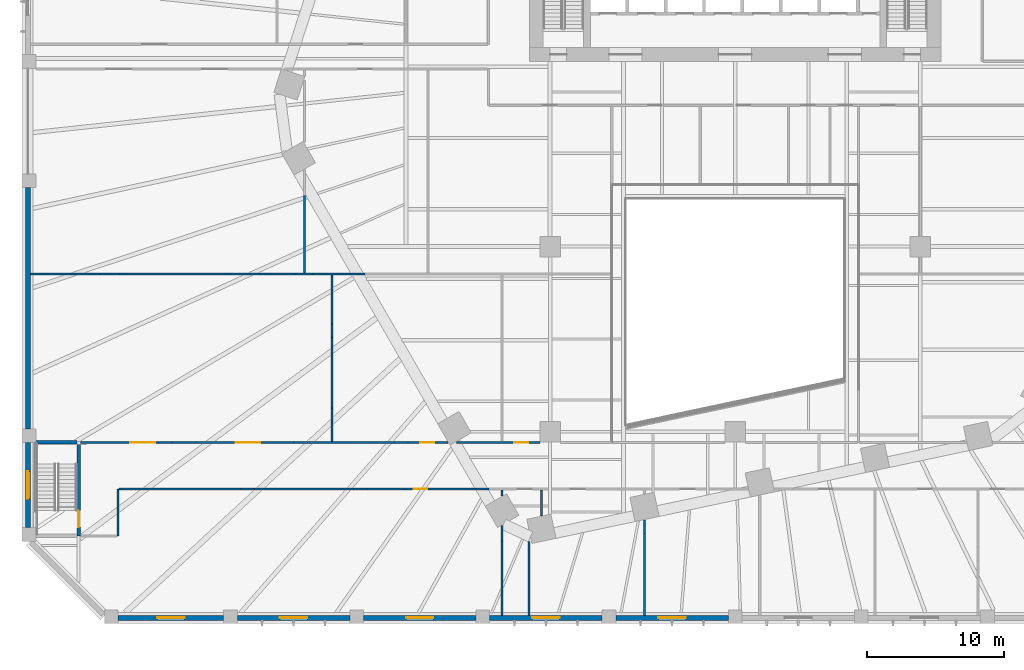
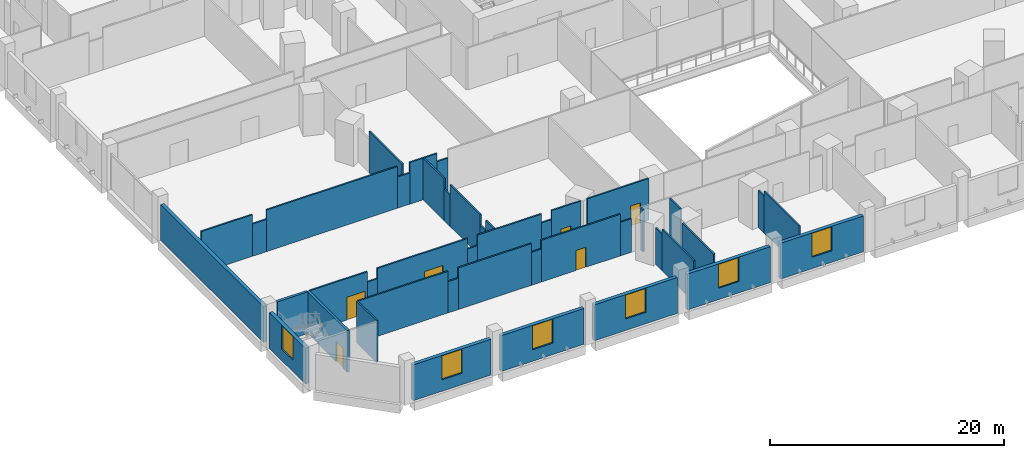
# One storey, part 14 of 33: 43 walls, 6 doors, 6 windows, 12 openings.
"""IFC4 building model written with IfcOpenShell, lengths in metres."""

from ifc_helpers import new_model, si_unit, direction, frame, frame_2d, origin, place, context, subcontext, project, spatial, rectangle, extrude, material, layer, layer_set, type_object, element, fill, save


model = new_model("IFC4")

# Units and contexts
model_context = context("Model", 3, precision=1e-05, world=origin(), true_north=direction((0.0, 1.0)))
body_context = subcontext(model_context, "Body", "Model", "MODEL_VIEW")
ifc_project = project(units=[si_unit("LENGTHUNIT", "METRE"), si_unit("AREAUNIT", "SQUARE_METRE"), si_unit("VOLUMEUNIT", "CUBIC_METRE"), si_unit("PLANEANGLEUNIT", "RADIAN"), si_unit("MASSUNIT", "GRAM", prefix="KILO")], contexts=[model_context])

# Site, building, storey
site_placement = place(None, origin())
site = spatial("IfcSite", under=ifc_project, at=site_placement, CompositionType="ELEMENT")
building_placement = place(site_placement, origin())
building = spatial("IfcBuilding", under=site, at=building_placement, Name="Isthmus Gate Tower", CompositionType="ELEMENT")
storey_placement = place(building_placement, frame((0.0, 0.0, 31.5)))
storey = spatial("IfcBuildingStorey", under=building, at=storey_placement, Name="L05", CompositionType="ELEMENT", Elevation=31.5)

# Wall
ifc_material_1 = material(Name="Fire-rated gypsum board on steel studs", Category="steel")
ifc_layer_1 = layer(ifc_material_1, 0.14990234375)
ifc_layer_set_1 = layer_set([ifc_layer_1], Name="Fire-rated partition 150 EI 60")
wall_type_1 = type_object("IfcWallType", Name="Fire-rated partition 150 EI 60", PredefinedType="PARTITIONING", material=ifc_layer_set_1)
wall_1_placement = place(storey_placement, frame((-45.0, -34.60009765625, 0.0), z_axis=(0.0, 0.0, 1.0), x_axis=(0.0, 1.0, 0.0)))
element("IfcWall", 1, at=wall_1_placement, inside=storey, type_object=wall_type_1, Name="Fire-rated partition", PredefinedType="PARTITIONING", context=body_context, shape_type="SweptSolid", body=[
    extrude(rectangle(XDim=3.421142578125, YDim=0.14990234375, at=frame_2d((1.71044921875, 0.0))), origin(), (0.0, 0.0, 1.0), 4.35009765625),
])

# Wall, opening, window
ifc_material_2 = material(Name="Precast concrete C40/50, limestone-faced", Category="masonry")
ifc_layer_2 = layer(ifc_material_2, 0.35009765625)
ifc_layer_set_2 = layer_set([ifc_layer_2], Name="PODIUM CLADDING WALL 350")
wall_type_2 = type_object("IfcWallType", Name="PODIUM CLADDING WALL 350", PredefinedType="SOLIDWALL", material=ifc_layer_set_2)
wall_2_placement = place(storey_placement, frame((-45.0, -40.574951171875, -0.300048828125), z_axis=(0.0, 0.0, 1.0), x_axis=(1.0, 0.0, 0.0)))
wall_2 = element("IfcWall", 2, at=wall_2_placement, inside=storey, type_object=wall_type_2, Name="PODIUM WALL", PredefinedType="SOLIDWALL", context=body_context, shape_type="SweptSolid", body=[
    extrude(rectangle(XDim=7.699951171875, YDim=0.35009765625, at=frame_2d((3.85009765625, 0.0))), origin(), (0.0, 0.0, 1.0), 3.75),
])
opening_1_placement = place(wall_2_placement, frame((2.85009765625, 0.0, 1.199951171875)))
opening_1 = element("IfcOpeningElement", 3, at=opening_1_placement, cuts=wall_2, Name="Opening W091", PredefinedType="OPENING", context=body_context, shape_type="SweptSolid", body=[
    extrude(rectangle(XDim=2.0, YDim=2.5, at=frame_2d((1.0, 1.25))), frame((0.0, 0.18505859375, 0.0), z_axis=(0.0, -1.0, 0.0), x_axis=(1.0, 0.0, 0.0)), (0.0, 0.0, 1.0), 0.3701171875),
])
ifc_material_3 = material(Name="Aluminium, pale champagne anodised, laminated glass", Category="aluminium")
window_type = type_object("IfcWindowType", Name="PODIUM SLOT WINDOW 2000 X 2500", PartitioningType="SINGLE_PANEL", PredefinedType="WINDOW", material=ifc_material_3)
window_1_placement = place(opening_1_placement, origin())
window_1 = element("IfcWindow", 4, at=window_1_placement, inside=storey, type_object=window_type, Name="SLOT WINDOW", OverallHeight=2.5, OverallWidth=2.0, PartitioningType="SINGLE_PANEL", PredefinedType="WINDOW", context=body_context, shape_type="SweptSolid", body=[
    extrude(rectangle(XDim=2.0, YDim=2.5, at=frame_2d((1.0, 1.25))), frame((0.0, 0.030029296875, 0.0), z_axis=(0.0, -1.0, 0.0), x_axis=(1.0, 0.0, 0.0)), (0.0, 0.0, 1.0), 0.06005859375),
])
fill(opening_1, window_1)

wall_3_placement = place(storey_placement, frame((-36.300048828125, -40.574951171875, -0.300048828125), z_axis=(0.0, 0.0, 1.0), x_axis=(1.0, 0.0, 0.0)))
wall_3 = element("IfcWall", 5, at=wall_3_placement, inside=storey, type_object=wall_type_2, Name="PODIUM WALL", PredefinedType="SOLIDWALL", context=body_context, shape_type="SweptSolid", body=[
    extrude(rectangle(XDim=8.199951171875, YDim=0.35009765625, at=frame_2d((4.10009765625, 0.0))), origin(), (0.0, 0.0, 1.0), 3.75),
])
opening_2_placement = place(wall_3_placement, frame((3.10009765625, 0.0, 1.199951171875)))
opening_2 = element("IfcOpeningElement", 6, at=opening_2_placement, cuts=wall_3, Name="Opening W092", PredefinedType="OPENING", context=body_context, shape_type="SweptSolid", body=[
    extrude(rectangle(XDim=2.0, YDim=2.5, at=frame_2d((1.0, 1.25))), frame((0.0, 0.18505859375, 0.0), z_axis=(0.0, -1.0, 0.0), x_axis=(1.0, 0.0, 0.0)), (0.0, 0.0, 1.0), 0.3701171875),
])
window_2_placement = place(opening_2_placement, origin())
window_2 = element("IfcWindow", 7, at=window_2_placement, inside=storey, type_object=window_type, Name="SLOT WINDOW", OverallHeight=2.5, OverallWidth=2.0, PartitioningType="SINGLE_PANEL", PredefinedType="WINDOW", context=body_context, shape_type="SweptSolid", body=[
    extrude(rectangle(XDim=2.0, YDim=2.5, at=frame_2d((1.0, 1.25))), frame((0.0, 0.030029296875, 0.0), z_axis=(0.0, -1.0, 0.0), x_axis=(1.0, 0.0, 0.0)), (0.0, 0.0, 1.0), 0.06005859375),
])
fill(opening_2, window_2)

wall_4_placement = place(storey_placement, frame((-27.10009765625, -40.574951171875, -0.300048828125), z_axis=(0.0, 0.0, 1.0), x_axis=(1.0, 0.0, 0.0)))
wall_4 = element("IfcWall", 8, at=wall_4_placement, inside=storey, type_object=wall_type_2, Name="PODIUM WALL", PredefinedType="SOLIDWALL", context=body_context, shape_type="SweptSolid", body=[
    extrude(rectangle(XDim=8.2001953125, YDim=0.35009765625, at=frame_2d((4.10009765625, 0.0))), origin(), (0.0, 0.0, 1.0), 3.75),
])
opening_3_placement = place(wall_4_placement, frame((3.10009765625, 0.0, 1.199951171875)))
opening_3 = element("IfcOpeningElement", 9, at=opening_3_placement, cuts=wall_4, Name="Opening W093", PredefinedType="OPENING", context=body_context, shape_type="SweptSolid", body=[
    extrude(rectangle(XDim=2.0, YDim=2.5, at=frame_2d((1.0, 1.25))), frame((0.0, 0.18505859375, 0.0), z_axis=(0.0, -1.0, 0.0), x_axis=(1.0, 0.0, 0.0)), (0.0, 0.0, 1.0), 0.3701171875),
])
window_3_placement = place(opening_3_placement, origin())
window_3 = element("IfcWindow", 10, at=window_3_placement, inside=storey, type_object=window_type, Name="SLOT WINDOW", OverallHeight=2.5, OverallWidth=2.0, PartitioningType="SINGLE_PANEL", PredefinedType="WINDOW", context=body_context, shape_type="SweptSolid", body=[
    extrude(rectangle(XDim=2.0, YDim=2.5, at=frame_2d((1.0, 1.25))), frame((0.0, 0.030029296875, 0.0), z_axis=(0.0, -1.0, 0.0), x_axis=(1.0, 0.0, 0.0)), (0.0, 0.0, 1.0), 0.06005859375),
])
fill(opening_3, window_3)

wall_5_placement = place(storey_placement, frame((-17.89990234375, -40.574951171875, -0.300048828125), z_axis=(0.0, 0.0, 1.0), x_axis=(1.0, 0.0, 0.0)))
wall_5 = element("IfcWall", 11, at=wall_5_placement, inside=storey, type_object=wall_type_2, Name="PODIUM WALL", PredefinedType="SOLIDWALL", context=body_context, shape_type="SweptSolid", body=[
    extrude(rectangle(XDim=8.199951171875, YDim=0.35009765625, at=frame_2d((4.10009765625, 0.0))), origin(), (0.0, 0.0, 1.0), 3.75),
])
opening_4_placement = place(wall_5_placement, frame((3.10009765625, 0.0, 1.199951171875)))
opening_4 = element("IfcOpeningElement", 12, at=opening_4_placement, cuts=wall_5, Name="Opening W094", PredefinedType="OPENING", context=body_context, shape_type="SweptSolid", body=[
    extrude(rectangle(XDim=2.0, YDim=2.5, at=frame_2d((1.0, 1.25))), frame((0.0, 0.18505859375, 0.0), z_axis=(0.0, -1.0, 0.0), x_axis=(1.0, 0.0, 0.0)), (0.0, 0.0, 1.0), 0.3701171875),
])
window_4_placement = place(opening_4_placement, origin())
window_4 = element("IfcWindow", 13, at=window_4_placement, inside=storey, type_object=window_type, Name="SLOT WINDOW", OverallHeight=2.5, OverallWidth=2.0, PartitioningType="SINGLE_PANEL", PredefinedType="WINDOW", context=body_context, shape_type="SweptSolid", body=[
    extrude(rectangle(XDim=2.0, YDim=2.5, at=frame_2d((1.0, 1.25))), frame((0.0, 0.030029296875, 0.0), z_axis=(0.0, -1.0, 0.0), x_axis=(1.0, 0.0, 0.0)), (0.0, 0.0, 1.0), 0.06005859375),
])
fill(opening_4, window_4)

wall_6_placement = place(storey_placement, frame((-8.699951171875, -40.574951171875, -0.300048828125), z_axis=(0.0, 0.0, 1.0), x_axis=(1.0, 0.0, 0.0)))
wall_6 = element("IfcWall", 14, at=wall_6_placement, inside=storey, type_object=wall_type_2, Name="PODIUM WALL", PredefinedType="SOLIDWALL", context=body_context, shape_type="SweptSolid", body=[
    extrude(rectangle(XDim=8.199951171875, YDim=0.35009765625, at=frame_2d((4.10009765625, 0.0))), origin(), (0.0, 0.0, 1.0), 3.75),
])
opening_5_placement = place(wall_6_placement, frame((3.10009765625, 0.0, 1.199951171875)))
opening_5 = element("IfcOpeningElement", 15, at=opening_5_placement, cuts=wall_6, Name="Opening W095", PredefinedType="OPENING", context=body_context, shape_type="SweptSolid", body=[
    extrude(rectangle(XDim=2.0, YDim=2.5, at=frame_2d((1.0, 1.25))), frame((0.0, 0.18505859375, 0.0), z_axis=(0.0, -1.0, 0.0), x_axis=(1.0, 0.0, 0.0)), (0.0, 0.0, 1.0), 0.3701171875),
])
window_5_placement = place(opening_5_placement, origin())
window_5 = element("IfcWindow", 16, at=window_5_placement, inside=storey, type_object=window_type, Name="SLOT WINDOW", OverallHeight=2.5, OverallWidth=2.0, PartitioningType="SINGLE_PANEL", PredefinedType="WINDOW", context=body_context, shape_type="SweptSolid", body=[
    extrude(rectangle(XDim=2.0, YDim=2.5, at=frame_2d((1.0, 1.25))), frame((0.0, 0.030029296875, 0.0), z_axis=(0.0, -1.0, 0.0), x_axis=(1.0, 0.0, 0.0)), (0.0, 0.0, 1.0), 0.06005859375),
])
fill(opening_5, window_5)

# Wall
wall_7_placement = place(storey_placement, frame((-51.574951171875, -9.199951171875, -0.300048828125), z_axis=(0.0, 0.0, 1.0), x_axis=(0.0, -1.0, 0.0)))
element("IfcWall", 17, at=wall_7_placement, inside=storey, type_object=wall_type_2, Name="PODIUM WALL", PredefinedType="SOLIDWALL", context=body_context, shape_type="SweptSolid", body=[
    extrude(rectangle(XDim=17.60009765625, YDim=0.35009765625, at=frame_2d((8.800048828125, 0.0))), origin(), (0.0, 0.0, 1.0), 3.75),
])

# Wall, opening, window
wall_8_placement = place(storey_placement, frame((-51.574951171875, -27.800048828125, -0.300048828125), z_axis=(0.0, 0.0, 1.0), x_axis=(0.0, -1.0, 0.0)))
wall_8 = element("IfcWall", 18, at=wall_8_placement, inside=storey, type_object=wall_type_2, Name="PODIUM WALL", PredefinedType="SOLIDWALL", context=body_context, shape_type="SweptSolid", body=[
    extrude(rectangle(XDim=6.199951171875, YDim=0.35009765625, at=frame_2d((3.10009765625, 0.0))), origin(), (0.0, 0.0, 1.0), 3.75),
])
opening_6_placement = place(wall_8_placement, frame((2.10009765625, 0.0, 1.199951171875)))
opening_6 = element("IfcOpeningElement", 19, at=opening_6_placement, cuts=wall_8, Name="Opening W119", PredefinedType="OPENING", context=body_context, shape_type="SweptSolid", body=[
    extrude(rectangle(XDim=2.0, YDim=2.5, at=frame_2d((1.0, 1.25))), frame((0.0, 0.18505859375, 0.0), z_axis=(0.0, -1.0, 0.0), x_axis=(1.0, 0.0, 0.0)), (0.0, 0.0, 1.0), 0.3701171875),
])
window_6_placement = place(opening_6_placement, origin())
window_6 = element("IfcWindow", 20, at=window_6_placement, inside=storey, type_object=window_type, Name="SLOT WINDOW", OverallHeight=2.5, OverallWidth=2.0, PartitioningType="SINGLE_PANEL", PredefinedType="WINDOW", context=body_context, shape_type="SweptSolid", body=[
    extrude(rectangle(XDim=2.0, YDim=2.5, at=frame_2d((1.0, 1.25))), frame((0.0, 0.030029296875, 0.0), z_axis=(0.0, -1.0, 0.0), x_axis=(1.0, 0.0, 0.0)), (0.0, 0.0, 1.0), 0.06005859375),
])
fill(opening_6, window_6)

# Walls
ifc_material_4 = material(Name="Gypsum board on cold-formed steel studs", Category="steel")
ifc_layer_3 = layer(ifc_material_4, 0.14990234375)
ifc_layer_set_3 = layer_set([ifc_layer_3])
wall_type_3 = type_object("IfcWallType", Name="Partition 150 gypsum board on steel studs", PredefinedType="PARTITIONING", material=ifc_layer_set_3)
wall_9_placement = place(storey_placement, frame((-44.925048828125, -31.178955078125, 0.0), z_axis=(0.0, 0.0, 1.0), x_axis=(1.0, 0.0, 0.0)))
element("IfcWall", 21, at=wall_9_placement, inside=storey, type_object=wall_type_3, Name="Partition", PredefinedType="PARTITIONING", context=body_context, shape_type="SweptSolid", body=[
    extrude(rectangle(XDim=8.872314453125, YDim=0.14990234375, at=frame_2d((4.43603515625, 0.0))), origin(), (0.0, 0.0, 1.0), 4.35009765625),
])
wall_10_placement = place(storey_placement, frame((-36.052734375, -31.178955078125, 0.0), z_axis=(0.0, 0.0, 1.0), x_axis=(1.0, 0.0, 0.0)))
element("IfcWall", 22, at=wall_10_placement, inside=storey, type_object=wall_type_3, Name="Partition", PredefinedType="PARTITIONING", context=body_context, shape_type="SweptSolid", body=[
    extrude(rectangle(XDim=1.0, YDim=0.14990234375, at=frame_2d((0.5, 0.0))), origin(), (0.0, 0.0, 1.0), 3.260986328125),
])
wall_11_placement = place(storey_placement, frame((-35.052734375, -31.178955078125, 0.0), z_axis=(0.0, 0.0, 1.0), x_axis=(1.0, 0.0, 0.0)))
element("IfcWall", 23, at=wall_11_placement, inside=storey, type_object=wall_type_3, Name="Partition", PredefinedType="PARTITIONING", context=body_context, shape_type="SweptSolid", body=[
    extrude(rectangle(XDim=7.20947265625, YDim=0.14990234375, at=frame_2d((3.604736328125, 0.0))), origin(), (0.0, 0.0, 1.0), 4.35009765625),
])
wall_12_placement = place(storey_placement, frame((-27.84326171875, -31.178955078125, 0.0), z_axis=(0.0, 0.0, 1.0), x_axis=(1.0, 0.0, 0.0)))
element("IfcWall", 24, at=wall_12_placement, inside=storey, type_object=wall_type_3, Name="Partition", PredefinedType="PARTITIONING", context=body_context, shape_type="SweptSolid", body=[
    extrude(rectangle(XDim=1.0, YDim=0.14990234375, at=frame_2d((0.5, 0.0))), origin(), (0.0, 0.0, 1.0), 3.435546875),
])

# Wall, opening, door
wall_13_placement = place(storey_placement, frame((-26.84326171875, -31.178955078125, 0.0), z_axis=(0.0, 0.0, 1.0), x_axis=(1.0, 0.0, 0.0)))
wall_13 = element("IfcWall", 25, at=wall_13_placement, inside=storey, type_object=wall_type_3, Name="Partition", PredefinedType="PARTITIONING", context=body_context, shape_type="SweptSolid", body=[
    extrude(rectangle(XDim=7.807373046875, YDim=0.14990234375, at=frame_2d((3.90380859375, 0.0))), origin(), (0.0, 0.0, 1.0), 4.35009765625),
])
opening_7_placement = place(wall_13_placement, frame((3.39990234375, 0.0, 0.0)))
opening_7 = element("IfcOpeningElement", 26, at=opening_7_placement, cuts=wall_13, Name="Opening DP05-43", PredefinedType="OPENING", context=body_context, shape_type="SweptSolid", body=[
    extrude(rectangle(XDim=1.0, YDim=2.10009765625, at=frame_2d((0.5, 1.050048828125))), frame((0.0, 0.0849609375, 0.0), z_axis=(0.0, -1.0, 0.0), x_axis=(1.0, 0.0, 0.0)), (0.0, 0.0, 1.0), 0.169921875),
])
ifc_material_5 = material(Name="Hollow metal frame with solid-core timber leaf", Category="wood")
door_type_1 = type_object("IfcDoorType", Name="Single swing door 1000 x 2100", OperationType="SINGLE_SWING_LEFT", PredefinedType="DOOR", material=ifc_material_5)
door_1_placement = place(opening_7_placement, origin())
door_1 = element("IfcDoor", 27, at=door_1_placement, inside=storey, type_object=door_type_1, Name="Door DP05-43", OperationType="SINGLE_SWING_LEFT", OverallHeight=2.10009765625, OverallWidth=1.0, PredefinedType="DOOR", context=body_context, shape_type="SweptSolid", body=[
    extrude(rectangle(XDim=1.0, YDim=2.10009765625, at=frame_2d((0.5, 1.050048828125))), frame((0.0, 0.02490234375, 0.0), z_axis=(0.0, -1.0, 0.0), x_axis=(1.0, 0.0, 0.0)), (0.0, 0.0, 1.0), 0.050048828125),
])
fill(opening_7, door_1)

# Wall
wall_14_placement = place(storey_placement, frame((-19.035888671875, -31.178955078125, 0.0), z_axis=(0.0, 0.0, 1.0), x_axis=(1.0, 0.0, 0.0)))
element("IfcWall", 28, at=wall_14_placement, inside=storey, type_object=wall_type_3, Name="Partition", PredefinedType="PARTITIONING", context=body_context, shape_type="SweptSolid", body=[
    extrude(rectangle(XDim=1.096923828125, YDim=0.14990234375, at=frame_2d((0.54833984375, 0.0))), origin(), (0.0, 0.0, 1.0), 3.5),
])

# Wall, opening, door
wall_15_placement = place(storey_placement, frame((-47.75, -27.779052734375, 0.0), z_axis=(0.0, 0.0, 1.0), x_axis=(1.0, 0.0, 0.0)))
wall_15 = element("IfcWall", 29, at=wall_15_placement, inside=storey, type_object=wall_type_3, Name="Partition", PredefinedType="PARTITIONING", context=body_context, shape_type="SweptSolid", body=[
    extrude(rectangle(XDim=5.67578125, YDim=0.14990234375, at=frame_2d((2.837890625, 0.0))), origin(), (0.0, 0.0, 1.0), 4.35009765625),
])
opening_8_placement = place(wall_15_placement, frame((3.64990234375, 0.0, 0.0)))
opening_8 = element("IfcOpeningElement", 30, at=opening_8_placement, cuts=wall_15, Name="Opening DP05-13", PredefinedType="OPENING", context=body_context, shape_type="SweptSolid", body=[
    extrude(rectangle(XDim=1.800048828125, YDim=2.39990234375, at=frame_2d((0.89990234375, 1.199951171875))), frame((0.0, 0.0849609375, 0.0), z_axis=(0.0, -1.0, 0.0), x_axis=(1.0, 0.0, 0.0)), (0.0, 0.0, 1.0), 0.169921875),
])
ifc_material_6 = material(Name="Hollow metal frame with solid-core timber leaves", Category="wood")
door_type_2 = type_object("IfcDoorType", Name="Double swing door 1800 x 2400", OperationType="DOUBLE_DOOR_SINGLE_SWING", PredefinedType="DOOR", material=ifc_material_6)
door_2_placement = place(opening_8_placement, origin())
door_2 = element("IfcDoor", 31, at=door_2_placement, inside=storey, type_object=door_type_2, Name="Door DP05-13", OperationType="SINGLE_SWING_LEFT", OverallHeight=2.39990234375, OverallWidth=1.800048828125, PredefinedType="DOOR", context=body_context, shape_type="SweptSolid", body=[
    extrude(rectangle(XDim=1.800048828125, YDim=2.39990234375, at=frame_2d((0.89990234375, 1.199951171875))), frame((0.0, 0.02490234375, 0.0), z_axis=(0.0, -1.0, 0.0), x_axis=(1.0, 0.0, 0.0)), (0.0, 0.0, 1.0), 0.050048828125),
])
fill(opening_8, door_2)

# Wall
wall_16_placement = place(storey_placement, frame((-42.07421875, -27.779052734375, 0.0), z_axis=(0.0, 0.0, 1.0), x_axis=(1.0, 0.0, 0.0)))
element("IfcWall", 32, at=wall_16_placement, inside=storey, type_object=wall_type_3, Name="Partition", PredefinedType="PARTITIONING", context=body_context, shape_type="SweptSolid", body=[
    extrude(rectangle(XDim=1.0, YDim=0.14990234375, at=frame_2d((0.5, 0.0))), origin(), (0.0, 0.0, 1.0), 3.260986328125),
])

# Wall, opening, door
wall_17_placement = place(storey_placement, frame((-41.07421875, -27.779052734375, 0.0), z_axis=(0.0, 0.0, 1.0), x_axis=(1.0, 0.0, 0.0)))
wall_17 = element("IfcWall", 33, at=wall_17_placement, inside=storey, type_object=wall_type_3, Name="Partition", PredefinedType="PARTITIONING", context=body_context, shape_type="SweptSolid", body=[
    extrude(rectangle(XDim=8.8984375, YDim=0.14990234375, at=frame_2d((4.44921875, 0.0))), origin(), (0.0, 0.0, 1.0), 4.35009765625),
])
opening_9_placement = place(wall_17_placement, frame((4.64990234375, 0.0, 0.0)))
opening_9 = element("IfcOpeningElement", 34, at=opening_9_placement, cuts=wall_17, Name="Opening DP05-14", PredefinedType="OPENING", context=body_context, shape_type="SweptSolid", body=[
    extrude(rectangle(XDim=1.800048828125, YDim=2.39990234375, at=frame_2d((0.89990234375, 1.199951171875))), frame((0.0, 0.0849609375, 0.0), z_axis=(0.0, -1.0, 0.0), x_axis=(1.0, 0.0, 0.0)), (0.0, 0.0, 1.0), 0.169921875),
])
door_3_placement = place(opening_9_placement, origin())
door_3 = element("IfcDoor", 35, at=door_3_placement, inside=storey, type_object=door_type_2, Name="Door DP05-14", OperationType="SINGLE_SWING_LEFT", OverallHeight=2.39990234375, OverallWidth=1.800048828125, PredefinedType="DOOR", context=body_context, shape_type="SweptSolid", body=[
    extrude(rectangle(XDim=1.800048828125, YDim=2.39990234375, at=frame_2d((0.89990234375, 1.199951171875))), frame((0.0, 0.02490234375, 0.0), z_axis=(0.0, -1.0, 0.0), x_axis=(1.0, 0.0, 0.0)), (0.0, 0.0, 1.0), 0.050048828125),
])
fill(opening_9, door_3)

# Walls
wall_18_placement = place(storey_placement, frame((-32.17578125, -27.779052734375, 0.0), z_axis=(0.0, 0.0, 1.0), x_axis=(1.0, 0.0, 0.0)))
element("IfcWall", 36, at=wall_18_placement, inside=storey, type_object=wall_type_3, Name="Partition", PredefinedType="PARTITIONING", context=body_context, shape_type="SweptSolid", body=[
    extrude(rectangle(XDim=1.0, YDim=0.14990234375, at=frame_2d((0.5, 0.0))), origin(), (0.0, 0.0, 1.0), 3.260986328125),
])
wall_19_placement = place(storey_placement, frame((-31.17578125, -27.779052734375, 0.0), z_axis=(0.0, 0.0, 1.0), x_axis=(1.0, 0.0, 0.0)))
element("IfcWall", 37, at=wall_19_placement, inside=storey, type_object=wall_type_3, Name="Partition", PredefinedType="PARTITIONING", context=body_context, shape_type="SweptSolid", body=[
    extrude(rectangle(XDim=6.314208984375, YDim=0.14990234375, at=frame_2d((3.1572265625, 0.0))), origin(), (0.0, 0.0, 1.0), 4.35009765625),
])
wall_20_placement = place(storey_placement, frame((-24.861572265625, -27.779052734375, 0.0), z_axis=(0.0, 0.0, 1.0), x_axis=(1.0, 0.0, 0.0)))
element("IfcWall", 38, at=wall_20_placement, inside=storey, type_object=wall_type_3, Name="Partition", PredefinedType="PARTITIONING", context=body_context, shape_type="SweptSolid", body=[
    extrude(rectangle(XDim=1.0, YDim=0.14990234375, at=frame_2d((0.5, 0.0))), origin(), (0.0, 0.0, 1.0), 3.435546875),
])

# Wall, opening, door
wall_21_placement = place(storey_placement, frame((-23.861572265625, -27.779052734375, 0.0), z_axis=(0.0, 0.0, 1.0), x_axis=(1.0, 0.0, 0.0)))
wall_21 = element("IfcWall", 39, at=wall_21_placement, inside=storey, type_object=wall_type_3, Name="Partition", PredefinedType="PARTITIONING", context=body_context, shape_type="SweptSolid", body=[
    extrude(rectangle(XDim=2.906005859375, YDim=0.14990234375, at=frame_2d((1.453125, 0.0))), origin(), (0.0, 0.0, 1.0), 4.35009765625),
])
opening_10_placement = place(wall_21_placement, frame((0.89990234375, 0.0, 0.0)))
opening_10 = element("IfcOpeningElement", 40, at=opening_10_placement, cuts=wall_21, Name="Opening DP05-15", PredefinedType="OPENING", context=body_context, shape_type="SweptSolid", body=[
    extrude(rectangle(XDim=1.0, YDim=2.10009765625, at=frame_2d((0.5, 1.050048828125))), frame((0.0, 0.0849609375, 0.0), z_axis=(0.0, -1.0, 0.0), x_axis=(1.0, 0.0, 0.0)), (0.0, 0.0, 1.0), 0.169921875),
])
door_4_placement = place(opening_10_placement, origin())
door_4 = element("IfcDoor", 41, at=door_4_placement, inside=storey, type_object=door_type_1, Name="Door DP05-15", OperationType="SINGLE_SWING_LEFT", OverallHeight=2.10009765625, OverallWidth=1.0, PredefinedType="DOOR", context=body_context, shape_type="SweptSolid", body=[
    extrude(rectangle(XDim=1.0, YDim=2.10009765625, at=frame_2d((0.5, 1.050048828125))), frame((0.0, 0.02490234375, 0.0), z_axis=(0.0, -1.0, 0.0), x_axis=(1.0, 0.0, 0.0)), (0.0, 0.0, 1.0), 0.050048828125),
])
fill(opening_10, door_4)

wall_22_placement = place(storey_placement, frame((-20.3193359375, -27.779052734375, 0.0), z_axis=(0.0, 0.0, 1.0), x_axis=(1.0, 0.0, 0.0)))
wall_22 = element("IfcWall", 42, at=wall_22_placement, inside=storey, type_object=wall_type_3, Name="Partition", PredefinedType="PARTITIONING", context=body_context, shape_type="SweptSolid", body=[
    extrude(rectangle(XDim=6.0693359375, YDim=0.14990234375, at=frame_2d((3.03466796875, 0.0))), origin(), (0.0, 0.0, 1.0), 4.35009765625),
])
opening_11_placement = place(wall_22_placement, frame((4.219482421875, 0.0, 0.0)))
opening_11 = element("IfcOpeningElement", 43, at=opening_11_placement, cuts=wall_22, Name="Opening DP05-16", PredefinedType="OPENING", context=body_context, shape_type="SweptSolid", body=[
    extrude(rectangle(XDim=1.0, YDim=2.10009765625, at=frame_2d((0.5, 1.050048828125))), frame((0.0, 0.0849609375, 0.0), z_axis=(0.0, -1.0, 0.0), x_axis=(1.0, 0.0, 0.0)), (0.0, 0.0, 1.0), 0.169921875),
])
door_5_placement = place(opening_11_placement, origin())
door_5 = element("IfcDoor", 44, at=door_5_placement, inside=storey, type_object=door_type_1, Name="Door DP05-16", OperationType="SINGLE_SWING_LEFT", OverallHeight=2.10009765625, OverallWidth=1.0, PredefinedType="DOOR", context=body_context, shape_type="SweptSolid", body=[
    extrude(rectangle(XDim=1.0, YDim=2.10009765625, at=frame_2d((0.5, 1.050048828125))), frame((0.0, 0.02490234375, 0.0), z_axis=(0.0, -1.0, 0.0), x_axis=(1.0, 0.0, 0.0)), (0.0, 0.0, 1.0), 0.050048828125),
])
fill(opening_11, door_5)

# Walls
wall_23_placement = place(storey_placement, frame((-51.39990234375, -15.489013671875, 0.0), z_axis=(0.0, 0.0, 1.0), x_axis=(1.0, 0.0, 0.0)))
element("IfcWall", 45, at=wall_23_placement, inside=storey, type_object=wall_type_3, Name="Partition", PredefinedType="PARTITIONING", context=body_context, shape_type="SweptSolid", body=[
    extrude(rectangle(XDim=5.0732421875, YDim=0.14990234375, at=frame_2d((2.53662109375, 0.0))), origin(), (0.0, 0.0, 1.0), 4.35009765625),
])
wall_24_placement = place(storey_placement, frame((-46.32666015625, -15.489013671875, 0.0), z_axis=(0.0, 0.0, 1.0), x_axis=(1.0, 0.0, 0.0)))
element("IfcWall", 46, at=wall_24_placement, inside=storey, type_object=wall_type_3, Name="Partition", PredefinedType="PARTITIONING", context=body_context, shape_type="SweptSolid", body=[
    extrude(rectangle(XDim=1.39501953125, YDim=0.14990234375, at=frame_2d((0.697509765625, 0.0))), origin(), (0.0, 0.0, 1.0), 3.368896484375),
])
wall_25_placement = place(storey_placement, frame((-44.931640625, -15.489013671875, 0.0), z_axis=(0.0, 0.0, 1.0), x_axis=(1.0, 0.0, 0.0)))
element("IfcWall", 47, at=wall_25_placement, inside=storey, type_object=wall_type_3, Name="Partition", PredefinedType="PARTITIONING", context=body_context, shape_type="SweptSolid", body=[
    extrude(rectangle(XDim=12.901123046875, YDim=0.14990234375, at=frame_2d((6.45068359375, 0.0))), origin(), (0.0, 0.0, 1.0), 4.35009765625),
])
wall_26_placement = place(storey_placement, frame((-32.030517578125, -15.489013671875, 0.0), z_axis=(0.0, 0.0, 1.0), x_axis=(1.0, 0.0, 0.0)))
element("IfcWall", 48, at=wall_26_placement, inside=storey, type_object=wall_type_3, Name="Partition", PredefinedType="PARTITIONING", context=body_context, shape_type="SweptSolid", body=[
    extrude(rectangle(XDim=1.24365234375, YDim=0.14990234375, at=frame_2d((0.621826171875, 0.0))), origin(), (0.0, 0.0, 1.0), 3.260986328125),
])
wall_27_placement = place(storey_placement, frame((-30.786865234375, -15.489013671875, 0.0), z_axis=(0.0, 0.0, 1.0), x_axis=(1.0, 0.0, 0.0)))
element("IfcWall", 49, at=wall_27_placement, inside=storey, type_object=wall_type_3, Name="Partition", PredefinedType="PARTITIONING", context=body_context, shape_type="SweptSolid", body=[
    extrude(rectangle(XDim=2.6923828125, YDim=0.14990234375, at=frame_2d((1.34619140625, 0.0))), origin(), (0.0, 0.0, 1.0), 4.35009765625),
])
wall_28_placement = place(storey_placement, frame((-28.094482421875, -15.489013671875, 0.0), z_axis=(0.0, 0.0, 1.0), x_axis=(1.0, 0.0, 0.0)))
element("IfcWall", 50, at=wall_28_placement, inside=storey, type_object=wall_type_3, Name="Partition", PredefinedType="PARTITIONING", context=body_context, shape_type="SweptSolid", body=[
    extrude(rectangle(XDim=1.096923828125, YDim=0.14990234375, at=frame_2d((0.54833984375, 0.0))), origin(), (0.0, 0.0, 1.0), 3.5),
])
wall_29_placement = place(storey_placement, frame((-31.39990234375, -15.4140625, 0.0), z_axis=(0.0, 0.0, 1.0), x_axis=(0.0, 1.0, 0.0)))
element("IfcWall", 51, at=wall_29_placement, inside=storey, type_object=wall_type_3, Name="Partition", PredefinedType="PARTITIONING", context=body_context, shape_type="SweptSolid", body=[
    extrude(rectangle(XDim=5.650390625, YDim=0.14990234375, at=frame_2d((2.8251953125, 0.0))), origin(), (0.0, 0.0, 1.0), 4.35009765625),
])
wall_30_placement = place(storey_placement, frame((-29.39990234375, -27.7041015625, 0.0), z_axis=(0.0, 0.0, 1.0), x_axis=(0.0, 1.0, 0.0)))
element("IfcWall", 52, at=wall_30_placement, inside=storey, type_object=wall_type_3, Name="Partition", PredefinedType="PARTITIONING", context=body_context, shape_type="SweptSolid", body=[
    extrude(rectangle(XDim=1.4208984375, YDim=0.14990234375, at=frame_2d((0.71044921875, 0.0))), origin(), (0.0, 0.0, 1.0), 4.35009765625),
])
wall_31_placement = place(storey_placement, frame((-29.39990234375, -26.283203125, 0.0), z_axis=(0.0, 0.0, 1.0), x_axis=(0.0, 1.0, 0.0)))
element("IfcWall", 53, at=wall_31_placement, inside=storey, type_object=wall_type_3, Name="Partition", PredefinedType="PARTITIONING", context=body_context, shape_type="SweptSolid", body=[
    extrude(rectangle(XDim=1.0, YDim=0.14990234375, at=frame_2d((0.5, 0.0))), origin(), (0.0, 0.0, 1.0), 3.260986328125),
])
wall_32_placement = place(storey_placement, frame((-29.39990234375, -25.283203125, 0.0), z_axis=(0.0, 0.0, 1.0), x_axis=(0.0, 1.0, 0.0)))
element("IfcWall", 54, at=wall_32_placement, inside=storey, type_object=wall_type_3, Name="Partition", PredefinedType="PARTITIONING", context=body_context, shape_type="SweptSolid", body=[
    extrude(rectangle(XDim=5.138671875, YDim=0.14990234375, at=frame_2d((2.5693359375, 0.0))), origin(), (0.0, 0.0, 1.0), 4.35009765625),
])
wall_33_placement = place(storey_placement, frame((-29.39990234375, -20.14453125, 0.0), z_axis=(0.0, 0.0, 1.0), x_axis=(0.0, 1.0, 0.0)))
element("IfcWall", 55, at=wall_33_placement, inside=storey, type_object=wall_type_3, Name="Partition", PredefinedType="PARTITIONING", context=body_context, shape_type="SweptSolid", body=[
    extrude(rectangle(XDim=1.0, YDim=0.14990234375, at=frame_2d((0.5, 0.0))), origin(), (0.0, 0.0, 1.0), 3.260986328125),
])
wall_34_placement = place(storey_placement, frame((-29.39990234375, -19.14453125, 0.0), z_axis=(0.0, 0.0, 1.0), x_axis=(0.0, 1.0, 0.0)))
element("IfcWall", 56, at=wall_34_placement, inside=storey, type_object=wall_type_3, Name="Partition", PredefinedType="PARTITIONING", context=body_context, shape_type="SweptSolid", body=[
    extrude(rectangle(XDim=3.58056640625, YDim=0.14990234375, at=frame_2d((1.790283203125, 0.0))), origin(), (0.0, 0.0, 1.0), 4.35009765625),
])
wall_35_placement = place(storey_placement, frame((-16.9951171875, -40.39990234375, 0.0), z_axis=(0.0, 0.0, 1.0), x_axis=(0.0, 1.0, 0.0)))
element("IfcWall", 57, at=wall_35_placement, inside=storey, type_object=wall_type_3, Name="Partition", PredefinedType="PARTITIONING", context=body_context, shape_type="SweptSolid", body=[
    extrude(rectangle(XDim=5.4375, YDim=0.14990234375, at=frame_2d((2.71875, 0.0))), origin(), (0.0, 0.0, 1.0), 4.35009765625),
])
wall_36_placement = place(storey_placement, frame((-16.9951171875, -34.96240234375, 0.0), z_axis=(0.0, 0.0, 1.0), x_axis=(0.0, 1.0, 0.0)))
element("IfcWall", 58, at=wall_36_placement, inside=storey, type_object=wall_type_3, Name="Partition", PredefinedType="PARTITIONING", context=body_context, shape_type="SweptSolid", body=[
    extrude(rectangle(XDim=1.11669921875, YDim=0.14990234375, at=frame_2d((0.558349609375, 0.0))), origin(), (0.0, 0.0, 1.0), 3.826171875),
])
wall_37_placement = place(storey_placement, frame((-16.9951171875, -31.6806640625, 0.0), z_axis=(0.0, 0.0, 1.0), x_axis=(0.0, 1.0, 0.0)))
element("IfcWall", 59, at=wall_37_placement, inside=storey, type_object=wall_type_3, Name="Partition", PredefinedType="PARTITIONING", context=body_context, shape_type="SweptSolid", body=[
    extrude(rectangle(XDim=0.4267578125, YDim=0.14990234375, at=frame_2d((0.21337890625, 0.0))), origin(), (0.0, 0.0, 1.0), 4.35009765625),
])
wall_38_placement = place(storey_placement, frame((-15.02490234375, -40.39990234375, 0.0), z_axis=(0.0, 0.0, 1.0), x_axis=(0.0, 1.0, 0.0)))
element("IfcWall", 60, at=wall_38_placement, inside=storey, type_object=wall_type_3, Name="Partition", PredefinedType="PARTITIONING", context=body_context, shape_type="SweptSolid", body=[
    extrude(rectangle(XDim=5.380126953125, YDim=0.14990234375, at=frame_2d((2.68994140625, 0.0))), origin(), (0.0, 0.0, 1.0), 4.35009765625),
])
wall_39_placement = place(storey_placement, frame((-14.132080078125, -33.147705078125, 0.0), z_axis=(0.0, 0.0, 1.0), x_axis=(0.0, 1.0, 0.0)))
element("IfcWall", 61, at=wall_39_placement, inside=storey, type_object=wall_type_3, Name="Partition", PredefinedType="PARTITIONING", context=body_context, shape_type="SweptSolid", body=[
    extrude(rectangle(XDim=1.893798828125, YDim=0.14990234375, at=frame_2d((0.94677734375, 0.0))), origin(), (0.0, 0.0, 1.0), 4.35009765625),
])
wall_40_placement = place(storey_placement, frame((-6.611083984375, -40.39990234375, 0.0), z_axis=(0.0, 0.0, 1.0), x_axis=(0.0, 1.0, 0.0)))
element("IfcWall", 62, at=wall_40_placement, inside=storey, type_object=wall_type_3, Name="Partition", PredefinedType="PARTITIONING", context=body_context, shape_type="SweptSolid", body=[
    extrude(rectangle(XDim=5.978759765625, YDim=0.14990234375, at=frame_2d((2.9892578125, 0.0))), origin(), (0.0, 0.0, 1.0), 4.35009765625),
])
wall_41_placement = place(storey_placement, frame((-6.611083984375, -34.421142578125, 0.0), z_axis=(0.0, 0.0, 1.0), x_axis=(0.0, 1.0, 0.0)))
element("IfcWall", 63, at=wall_41_placement, inside=storey, type_object=wall_type_3, Name="Partition", PredefinedType="PARTITIONING", context=body_context, shape_type="SweptSolid", body=[
    extrude(rectangle(XDim=1.0, YDim=0.14990234375, at=frame_2d((0.5, 0.0))), origin(), (0.0, 0.0, 1.0), 3.826171875),
])
ifc_material_7 = material(Name="Concrete f'c 40 MPa", Category="concrete")
ifc_layer_4 = layer(ifc_material_7, 0.25)
ifc_layer_set_4 = layer_set([ifc_layer_4])
wall_type_4 = type_object("IfcWallType", Name="Stair shaft wall 250 reinforced concrete", PredefinedType="SHEAR", material=ifc_layer_set_4)
wall_42_placement = place(storey_placement, frame((-51.0, -27.779052734375, 0.0), z_axis=(0.0, 0.0, 1.0), x_axis=(1.0, 0.0, 0.0)))
element("IfcWall", 64, at=wall_42_placement, inside=storey, type_object=wall_type_4, Name="Stair shaft wall", PredefinedType="SHEAR", context=body_context, shape_type="SweptSolid", body=[
    extrude(rectangle(XDim=3.0, YDim=0.25, at=frame_2d((1.5, 0.0))), origin(), (0.0, 0.0, 1.0), 4.35009765625),
])

# Wall, opening, door
wall_43_placement = place(storey_placement, frame((-47.875, -34.60009765625, 0.0), z_axis=(0.0, 0.0, 1.0), x_axis=(0.0, 1.0, 0.0)))
wall_43 = element("IfcWall", 65, at=wall_43_placement, inside=storey, type_object=wall_type_4, Name="Stair shaft wall", PredefinedType="SHEAR", context=body_context, shape_type="SweptSolid", body=[
    extrude(rectangle(XDim=6.821044921875, YDim=0.25, at=frame_2d((3.41064453125, 0.0))), origin(), (0.0, 0.0, 1.0), 4.35009765625),
])
opening_12_placement = place(wall_43_placement, frame((0.64990234375, 0.0, 0.0)))
opening_12 = element("IfcOpeningElement", 66, at=opening_12_placement, cuts=wall_43, Name="Opening DP05-07", PredefinedType="OPENING", context=body_context, shape_type="SweptSolid", body=[
    extrude(rectangle(XDim=1.199951171875, YDim=2.10009765625, at=frame_2d((0.60009765625, 1.050048828125))), frame((0.0, 0.135009765625, 0.0), z_axis=(0.0, -1.0, 0.0), x_axis=(1.0, 0.0, 0.0)), (0.0, 0.0, 1.0), 0.27001953125),
])
ifc_material_8 = material(Name="Steel fire door with intumescent seals", Category="steel")
door_type_3 = type_object("IfcDoorType", Name="Fire door 1200 x 2100", OperationType="SINGLE_SWING_LEFT", PredefinedType="DOOR", material=ifc_material_8)
door_6_placement = place(opening_12_placement, origin())
door_6 = element("IfcDoor", 67, at=door_6_placement, inside=storey, type_object=door_type_3, Name="Door DP05-07", OperationType="SINGLE_SWING_LEFT", OverallHeight=2.10009765625, OverallWidth=1.199951171875, PredefinedType="DOOR", context=body_context, shape_type="SweptSolid", body=[
    extrude(rectangle(XDim=1.199951171875, YDim=2.10009765625, at=frame_2d((0.60009765625, 1.050048828125))), frame((0.0, 0.02490234375, 0.0), z_axis=(0.0, -1.0, 0.0), x_axis=(1.0, 0.0, 0.0)), (0.0, 0.0, 1.0), 0.050048828125),
])
fill(opening_12, door_6)

save(model, "model.ifc")
